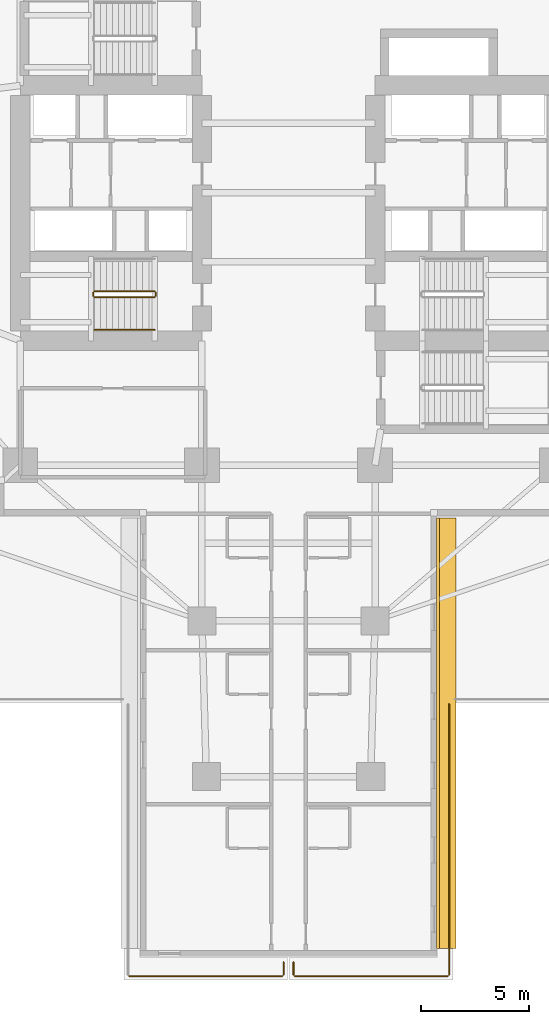
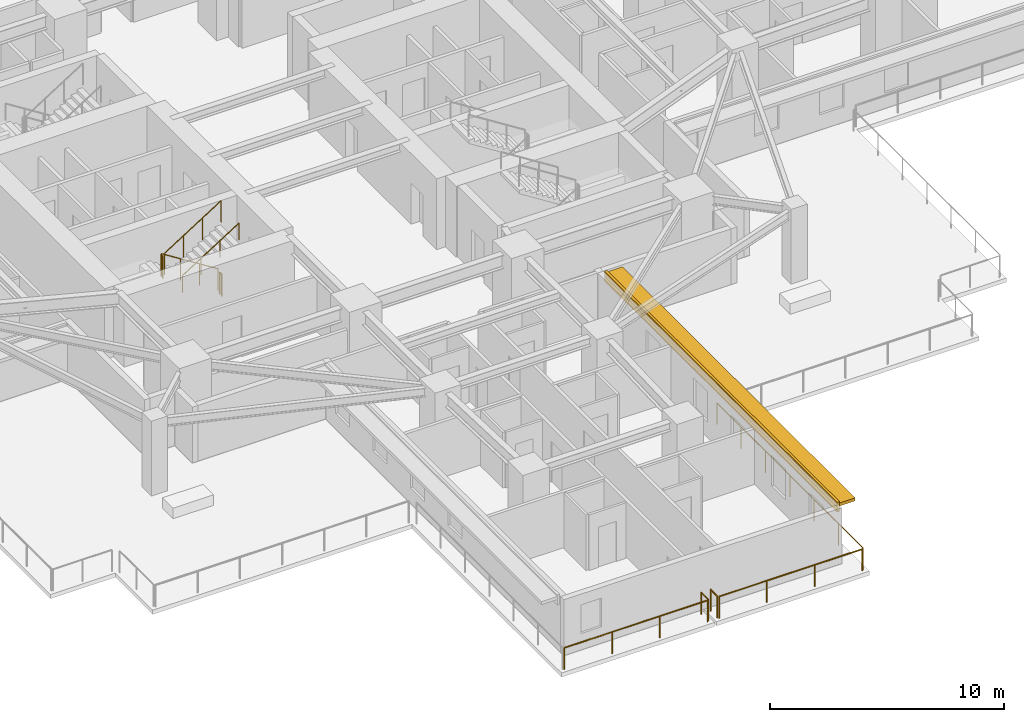
# One storey, part 11 of 15: 10 railings, 1 covering, 1 shading device.
"""IFC4 building model written with IfcOpenShell, lengths in metres."""

from ifc_helpers import new_model, si_unit, direction, frame, origin, origin_2d, place, context, subcontext, project, spatial, rectangle, circle, extrude, material, layer, layer_set, type_object, element, save


model = new_model("IFC4")

# Units and contexts
model_context = context("Model", 3, precision=1e-05, world=origin(), true_north=direction((0.0, 1.0)))
body_context = subcontext(model_context, "Body", "Model", "MODEL_VIEW")
ifc_project = project(units=[si_unit("LENGTHUNIT", "METRE"), si_unit("AREAUNIT", "SQUARE_METRE"), si_unit("VOLUMEUNIT", "CUBIC_METRE"), si_unit("PLANEANGLEUNIT", "RADIAN"), si_unit("MASSUNIT", "GRAM", prefix="KILO")], contexts=[model_context])

# Site, building, storey
site_placement = place(None, origin())
site = spatial("IfcSite", under=ifc_project, at=site_placement, CompositionType="ELEMENT")
building_placement = place(site_placement, origin())
building = spatial("IfcBuilding", under=site, at=building_placement, Name="Qingluan Cross Belvedere", CompositionType="ELEMENT")
storey_placement = place(building_placement, frame((0.0, 0.0, 23.699951171875)))
storey = spatial("IfcBuildingStorey", under=building, at=storey_placement, Name="L06", CompositionType="ELEMENT", Elevation=23.699951171875)

# Covering
ifc_material_1 = material(Name="Precast concrete C45", Category="concrete")
ifc_layer_1 = layer(ifc_material_1, 0.1201171875, Name="ConcreteSpandrelCladding_120")
ifc_layer_set_1 = layer_set([ifc_layer_1], Name="Precast concrete C45")
covering_type = type_object("IfcCoveringType", Name="ConcreteSpandrelCladding_120", PredefinedType="CLADDING", material=ifc_layer_set_1)
covering_placement = place(storey_placement, frame((6.909912109375, -24.989990234375, 2.449951171875), z_axis=(0.0, 0.0, 1.0), x_axis=(0.0, 1.0, 0.0)))
element("IfcCovering", 1, at=covering_placement, inside=storey, type_object=covering_type, Name="Spandrel cladding L06-SB", PredefinedType="CLADDING", context=body_context, shape_type="SweptSolid", body=[
    extrude(rectangle(XDim=19.89990234375, YDim=0.1201171875, at=origin_2d()), origin(), (0.0, 0.0, 1.0), 0.52001953125),
])

# Shading device
ifc_material_2 = material(Name="Precast concrete C45", Category="concrete")
ifc_layer_2 = layer(ifc_material_2, 0.159912109375, Name="ConcreteSunshadeBand_900")
ifc_layer_set_2 = layer_set([ifc_layer_2], Name="Precast concrete C45")
shading_device_type = type_object("IfcShadingDeviceType", Name="ConcreteSunshadeBand_900", PredefinedType="USERDEFINED", material=ifc_layer_set_2)
shading_device_placement = place(storey_placement, frame((7.2900390625, -24.989990234375, 2.72998046875), z_axis=(0.0, 0.0, 1.0), x_axis=(0.0, 1.0, 0.0)))
element("IfcShadingDevice", 2, at=shading_device_placement, inside=storey, type_object=shading_device_type, Name="Concrete SUNSHADE L06-SB", ObjectType="SUNSHADE", PredefinedType="USERDEFINED", context=body_context, shape_type="SweptSolid", body=[
    extrude(rectangle(XDim=19.89990234375, YDim=0.89990234375, at=origin_2d()), origin(), (0.0, 0.0, 1.0), 0.159912109375),
])

# Railings
ifc_material_3 = material(Name="Brushed stainless steel tubular handrail", Category="steel")
railing_type_1 = type_object("IfcRailingType", Name="StairPitchHandrail_900", PredefinedType="HANDRAIL", material=ifc_material_3)
railing_1_placement = place(storey_placement, frame((-8.97998046875, -6.35009765625, 2.12744140625)))
element("IfcRailing", 3, at=railing_1_placement, inside=storey, type_object=railing_type_1, Name="L06 ST1 stair handrail 2", PredefinedType="HANDRAIL", context=body_context, shape_type="SweptSolid", body=[
    extrude(circle(Radius=0.02392578125, at=origin_2d()), frame((0.0, 0.0, 0.8759765625), z_axis=(0.844908973607, 0.0, 0.534910110503), x_axis=(0.0, 1.0, 0.0)), (0.0, 0.0, 1.0), 3.31396484375),
    extrude(circle(Radius=0.02099609375, at=origin_2d()), origin(), (0.0, 0.0, 1.0), 0.851806640625),
    extrude(circle(Radius=0.02099609375, at=origin_2d()), frame((0.933349609375, 0.0, 0.5908203125)), (0.0, 0.0, 1.0), 0.851806640625),
    extrude(circle(Radius=0.02099609375, at=origin_2d()), frame((1.86669921875, 0.0, 1.181884765625)), (0.0, 0.0, 1.0), 0.851806640625),
    extrude(circle(Radius=0.02099609375, at=origin_2d()), frame((2.800048828125, 0.0, 1.772705078125)), (0.0, 0.0, 1.0), 0.851806640625),
])
ifc_material_4 = material(Name="Painted steel stair well guard", Category="steel")
railing_type_2 = type_object("IfcRailingType", Name="StairWellGuard_1150", PredefinedType="BALUSTRADE", material=ifc_material_4)
railing_2_placement = place(storey_placement, frame((-6.179931640625, -4.570068359375, 0.17724609375)))
element("IfcRailing", 4, at=railing_2_placement, inside=storey, type_object=railing_type_2, Name="L06 ST1 stair guard 1", PredefinedType="BALUSTRADE", context=body_context, shape_type="SweptSolid", body=[
    extrude(circle(Radius=0.02392578125, at=origin_2d()), frame((0.0, 0.0, 1.1259765625), z_axis=(-0.844908973607, 0.0, 0.534910110503), x_axis=(0.0, -1.0, 0.0)), (0.0, 0.0, 1.0), 3.31396484375),
    extrude(circle(Radius=0.02099609375, at=origin_2d()), origin(), (0.0, 0.0, 1.0), 1.101806640625),
    extrude(circle(Radius=0.02099609375, at=origin_2d()), frame((-0.933349609375, 0.0, 0.5908203125)), (0.0, 0.0, 1.0), 1.101806640625),
    extrude(circle(Radius=0.02099609375, at=origin_2d()), frame((-1.86669921875, 0.0, 1.181884765625)), (0.0, 0.0, 1.0), 1.101806640625),
    extrude(circle(Radius=0.02099609375, at=origin_2d()), frame((-2.800048828125, 0.0, 1.772705078125)), (0.0, 0.0, 1.0), 1.101806640625),
])
railing_3_placement = place(storey_placement, frame((-9.030029296875, -4.6201171875, 1.949951171875)))
element("IfcRailing", 5, at=railing_3_placement, inside=storey, type_object=railing_type_2, Name="L06 ST1 stair guard 2", PredefinedType="BALUSTRADE", context=body_context, shape_type="SweptSolid", body=[
    extrude(circle(Radius=0.02392578125, at=origin_2d()), frame((0.0, 0.0, 1.1259765625), z_axis=(0.0, -1.0, 0.0), x_axis=(1.0, 0.0, 0.0)), (0.0, 0.0, 1.0), 0.159912109375),
    extrude(circle(Radius=0.02099609375, at=origin_2d()), origin(), (0.0, 0.0, 1.0), 1.101806640625),
    extrude(circle(Radius=0.02099609375, at=origin_2d()), frame((0.0, -0.159912109375, 0.0)), (0.0, 0.0, 1.0), 1.101806640625),
])
railing_4_placement = place(storey_placement, frame((-8.97998046875, -4.830078125, 2.12744140625)))
element("IfcRailing", 6, at=railing_4_placement, inside=storey, type_object=railing_type_2, Name="L06 ST1 stair guard 3", PredefinedType="BALUSTRADE", context=body_context, shape_type="SweptSolid", body=[
    extrude(circle(Radius=0.02392578125, at=origin_2d()), frame((0.0, 0.0, 1.1259765625), z_axis=(0.844908973607, 0.0, 0.534910110503), x_axis=(0.0, 1.0, 0.0)), (0.0, 0.0, 1.0), 3.31396484375),
    extrude(circle(Radius=0.02099609375, at=origin_2d()), origin(), (0.0, 0.0, 1.0), 1.101806640625),
    extrude(circle(Radius=0.02099609375, at=origin_2d()), frame((0.933349609375, 0.0, 0.5908203125)), (0.0, 0.0, 1.0), 1.101806640625),
    extrude(circle(Radius=0.02099609375, at=origin_2d()), frame((1.86669921875, 0.0, 1.181884765625)), (0.0, 0.0, 1.0), 1.101806640625),
    extrude(circle(Radius=0.02099609375, at=origin_2d()), frame((2.800048828125, 0.0, 1.772705078125)), (0.0, 0.0, 1.0), 1.101806640625),
])
railing_5_placement = place(storey_placement, frame((-6.1298828125, -4.6201171875, 0.0)))
element("IfcRailing", 7, at=railing_5_placement, inside=storey, type_object=railing_type_2, Name="L06 ST1 stair guard 4", PredefinedType="BALUSTRADE", context=body_context, shape_type="SweptSolid", body=[
    extrude(circle(Radius=0.02392578125, at=origin_2d()), frame((0.0, 0.0, 1.1259765625), z_axis=(0.0, -1.0, 0.0), x_axis=(1.0, 0.0, 0.0)), (0.0, 0.0, 1.0), 0.159912109375),
    extrude(circle(Radius=0.02099609375, at=origin_2d()), origin(), (0.0, 0.0, 1.0), 1.101806640625),
    extrude(circle(Radius=0.02099609375, at=origin_2d()), frame((0.0, -0.159912109375, 0.0)), (0.0, 0.0, 1.0), 1.101806640625),
])
ifc_material_5 = material(Name="Laminated glass and stainless steel balustrade", Category="steel")
railing_type_3 = type_object("IfcRailingType", Name="TerraceGuardBalustrade_1150", PredefinedType="BALUSTRADE", material=ifc_material_5)
railing_6_placement = place(storey_placement, frame((-0.2900390625, -36.219970703125, 0.0)))
element("IfcRailing", 8, at=railing_6_placement, inside=storey, type_object=railing_type_3, Name="Terrace guard L06-1", PredefinedType="BALUSTRADE", context=body_context, shape_type="SweptSolid", body=[
    extrude(circle(Radius=0.02392578125, at=origin_2d()), frame((0.0, 0.0, 1.1259765625), z_axis=(-1.0, 0.0, 0.0), x_axis=(0.0, -1.0, 0.0)), (0.0, 0.0, 1.0), 7.070068359375),
    extrude(circle(Radius=0.02099609375, at=origin_2d()), origin(), (0.0, 0.0, 1.0), 1.101806640625),
    extrude(circle(Radius=0.02099609375, at=origin_2d()), frame((-2.356689453125, 0.0, 0.0)), (0.0, 0.0, 1.0), 1.101806640625),
    extrude(circle(Radius=0.02099609375, at=origin_2d()), frame((-4.71337890625, 0.0, 0.0)), (0.0, 0.0, 1.0), 1.101806640625),
    extrude(circle(Radius=0.02099609375, at=origin_2d()), frame((-7.070068359375, 0.0, 0.0)), (0.0, 0.0, 1.0), 1.101806640625),
])
railing_7_placement = place(storey_placement, frame((-0.22998046875, -35.580078125, 0.0)))
element("IfcRailing", 9, at=railing_7_placement, inside=storey, type_object=railing_type_3, Name="Terrace guard L06-10", PredefinedType="BALUSTRADE", context=body_context, shape_type="SweptSolid", body=[
    extrude(circle(Radius=0.02392578125, at=origin_2d()), frame((0.0, 0.0, 1.1259765625), z_axis=(0.0, -1.0, 0.0), x_axis=(1.0, 0.0, 0.0)), (0.0, 0.0, 1.0), 0.579833984375),
    extrude(circle(Radius=0.02099609375, at=origin_2d()), origin(), (0.0, 0.0, 1.0), 1.101806640625),
    extrude(circle(Radius=0.02099609375, at=origin_2d()), frame((0.0, -0.579833984375, 0.0)), (0.0, 0.0, 1.0), 1.101806640625),
])
railing_8_placement = place(storey_placement, frame((7.360107421875, -36.219970703125, 0.0)))
element("IfcRailing", 10, at=railing_8_placement, inside=storey, type_object=railing_type_3, Name="Terrace guard L06-1", PredefinedType="BALUSTRADE", context=body_context, shape_type="SweptSolid", body=[
    extrude(circle(Radius=0.02392578125, at=origin_2d()), frame((0.0, 0.0, 1.1259765625), z_axis=(-1.0, 0.0, 0.0), x_axis=(0.0, -1.0, 0.0)), (0.0, 0.0, 1.0), 7.070068359375),
    extrude(circle(Radius=0.02099609375, at=origin_2d()), origin(), (0.0, 0.0, 1.0), 1.101806640625),
    extrude(circle(Radius=0.02099609375, at=origin_2d()), frame((-2.356689453125, 0.0, 0.0)), (0.0, 0.0, 1.0), 1.101806640625),
    extrude(circle(Radius=0.02099609375, at=origin_2d()), frame((-4.71337890625, 0.0, 0.0)), (0.0, 0.0, 1.0), 1.101806640625),
    extrude(circle(Radius=0.02099609375, at=origin_2d()), frame((-7.070068359375, 0.0, 0.0)), (0.0, 0.0, 1.0), 1.101806640625),
])
railing_9_placement = place(storey_placement, frame((0.22998046875, -36.159912109375, 0.0)))
element("IfcRailing", 11, at=railing_9_placement, inside=storey, type_object=railing_type_3, Name="Terrace guard L06-2", PredefinedType="BALUSTRADE", context=body_context, shape_type="SweptSolid", body=[
    extrude(circle(Radius=0.02392578125, at=origin_2d()), frame((0.0, 0.0, 1.1259765625), z_axis=(0.0, 1.0, 0.0), x_axis=(-1.0, 0.0, 0.0)), (0.0, 0.0, 1.0), 0.579833984375),
    extrude(circle(Radius=0.02099609375, at=origin_2d()), origin(), (0.0, 0.0, 1.0), 1.101806640625),
    extrude(circle(Radius=0.02099609375, at=origin_2d()), frame((0.0, 0.579833984375, 0.0)), (0.0, 0.0, 1.0), 1.101806640625),
])
railing_10_placement = place(storey_placement, frame((7.419921875, -23.659912109375, 0.0)))
element("IfcRailing", 12, at=railing_10_placement, inside=storey, type_object=railing_type_3, Name="Terrace guard L06-10", PredefinedType="BALUSTRADE", context=body_context, shape_type="SweptSolid", body=[
    extrude(circle(Radius=0.02392578125, at=origin_2d()), frame((0.0, 0.0, 1.1259765625), z_axis=(0.0, -1.0, 0.0), x_axis=(1.0, 0.0, 0.0)), (0.0, 0.0, 1.0), 12.5),
    extrude(circle(Radius=0.02099609375, at=origin_2d()), origin(), (0.0, 0.0, 1.0), 1.101806640625),
    extrude(circle(Radius=0.02099609375, at=origin_2d()), frame((0.0, -2.083251953125, 0.0)), (0.0, 0.0, 1.0), 1.101806640625),
    extrude(circle(Radius=0.02099609375, at=origin_2d()), frame((0.0, -4.166748046875, 0.0)), (0.0, 0.0, 1.0), 1.101806640625),
    extrude(circle(Radius=0.02099609375, at=origin_2d()), frame((0.0, -6.25, 0.0)), (0.0, 0.0, 1.0), 1.101806640625),
    extrude(circle(Radius=0.02099609375, at=origin_2d()), frame((0.0, -8.333251953125, 0.0)), (0.0, 0.0, 1.0), 1.101806640625),
    extrude(circle(Radius=0.02099609375, at=origin_2d()), frame((0.0, -10.416748046875, 0.0)), (0.0, 0.0, 1.0), 1.101806640625),
    extrude(circle(Radius=0.02099609375, at=origin_2d()), frame((0.0, -12.5, 0.0)), (0.0, 0.0, 1.0), 1.101806640625),
])

save(model, "model.ifc")
